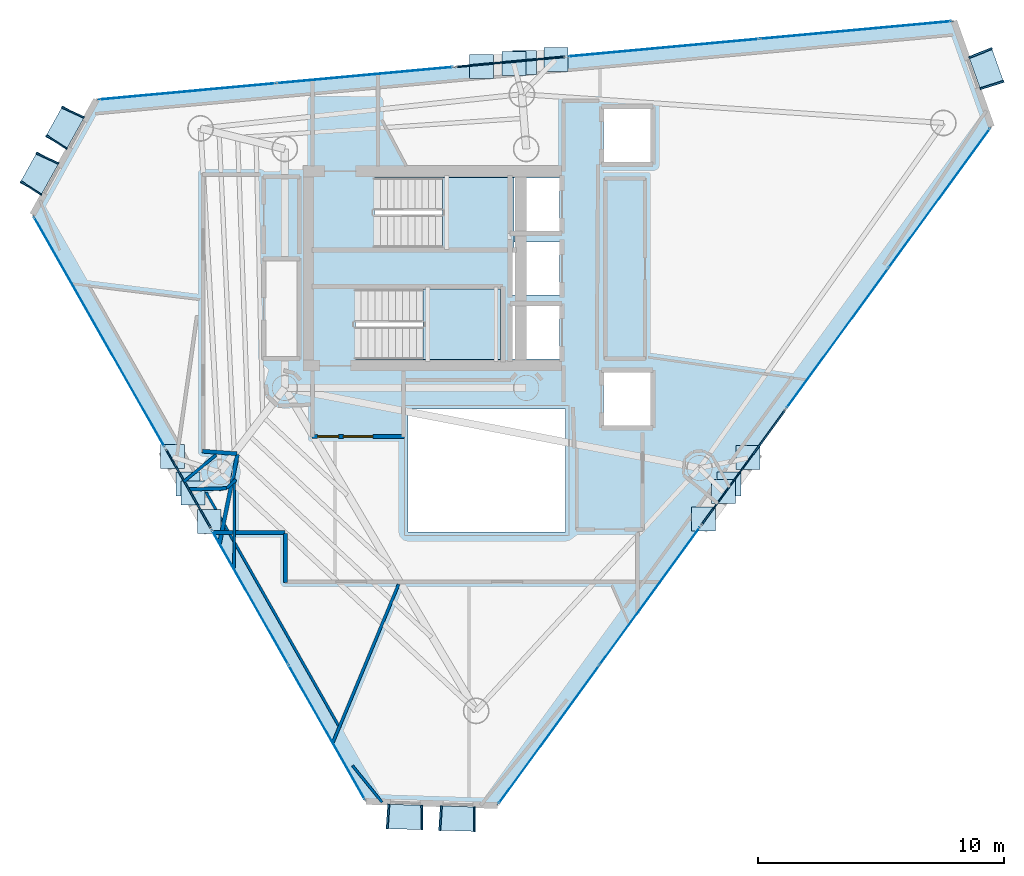
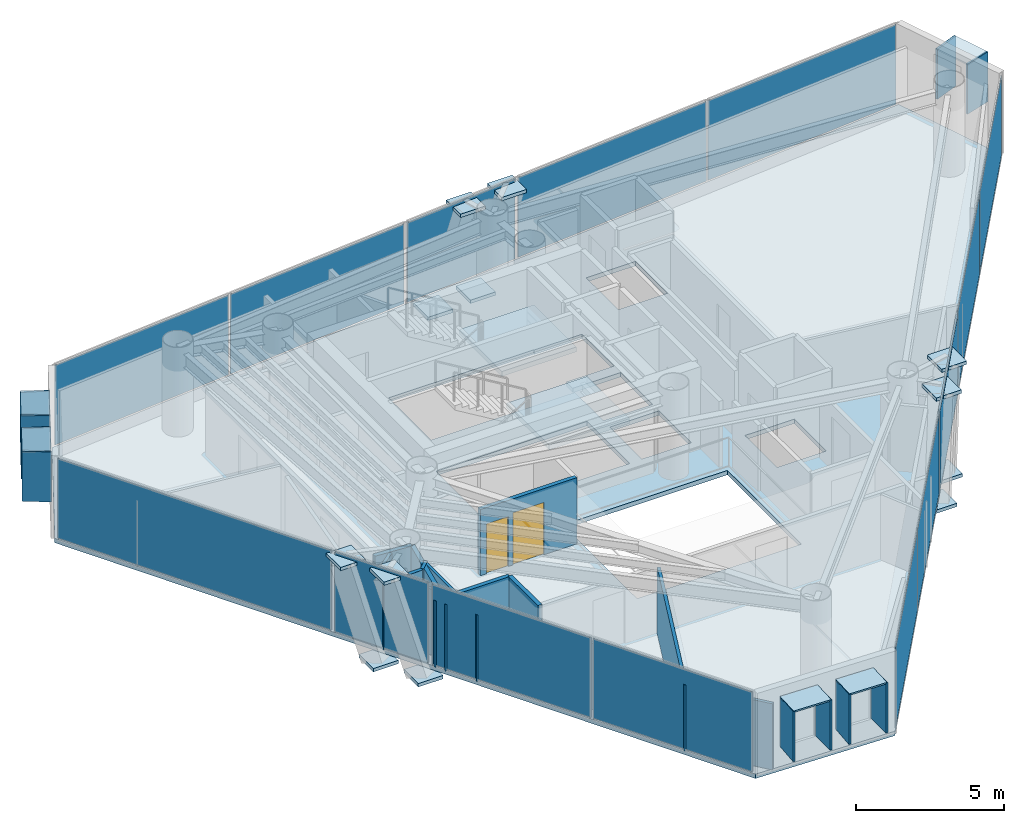
# One storey, part 16 of 21: 41 plates, 12 walls, 3 slabs, 2 doors, 2 openings, 11 elements without a shape of their own.
"""IFC4 building model written with IfcOpenShell, lengths in metres."""

from ifc_helpers import new_model, si_unit, direction, frame, frame_2d, origin, origin_2d, place, context, subcontext, project, spatial, polyline, rectangle, outline, extrude, material, layer, layer_set, type_object, element, fill, aggregate, save


model = new_model("IFC4")

# Units and contexts
model_context = context("Model", 3, precision=1e-05, world=origin(), true_north=direction((0.0, 1.0)))
body_context = subcontext(model_context, "Body", "Model", "MODEL_VIEW")
ifc_project = project(units=[si_unit("LENGTHUNIT", "METRE"), si_unit("AREAUNIT", "SQUARE_METRE"), si_unit("VOLUMEUNIT", "CUBIC_METRE"), si_unit("PLANEANGLEUNIT", "RADIAN"), si_unit("MASSUNIT", "GRAM", prefix="KILO")], contexts=[model_context])

# Site, building, storey
site_placement = place(None, origin())
site = spatial("IfcSite", under=ifc_project, at=site_placement, CompositionType="ELEMENT")
building_placement = place(site_placement, origin())
building = spatial("IfcBuilding", under=site, at=building_placement, Name="Qianvela Tower", CompositionType="ELEMENT")
storey_placement = place(building_placement, frame((0.0, 0.0, 272.300048828125)))
storey = spatial("IfcBuildingStorey", under=building, at=storey_placement, Name="L70", CompositionType="ELEMENT", Elevation=272.300048828125)

# Curtain wall, plate
ifc_material_1 = material(Name="Anodised Architectural Aluminium and Insulated Spandrel Panel", Category="aluminium")
ifc_layer_1 = layer(ifc_material_1, 0.179931640625)
ifc_layer_set_1 = layer_set([ifc_layer_1], Name="Anodised Architectural Aluminium and Insulated Spandrel Panel")
curtain_wall_type_1 = type_object("IfcCurtainWallType", Name="CW-BRACEBAY", PredefinedType="USERDEFINED", material=ifc_layer_set_1)
curtain_wall_1_placement = place(storey_placement, origin())
curtain_wall_1 = element("IfcCurtainWall", 1, at=curtain_wall_1_placement, inside=storey, type_object=curtain_wall_type_1, Name="L70 CW-BRACEBAY Curtain Wall 02B", ObjectType="CURTAIN_WALL_SYSTEM", PredefinedType="USERDEFINED")
ifc_material_2 = material(Name="Insulated Aluminium Spandrel Panel with Mineral-Wool Backpan", Category="aluminium")
ifc_layer_2 = layer(ifc_material_2, 0.06005859375)
ifc_layer_set_2 = layer_set([ifc_layer_2], Name="Insulated Aluminium Spandrel Panel with Mineral-Wool Backpan")
plate_type_1 = type_object("IfcPlateType", Name="CW-BRACEBAY-PNL", PredefinedType="CURTAIN_PANEL", material=ifc_layer_set_2)
plate_1_placement = place(storey_placement, frame((37.75732421875, 37.088623046875, 0.06494140625), z_axis=(0.0, 0.0, 1.0), x_axis=(-0.995810288508, -0.091443257276, 0.0)))
plate_1 = element("IfcPlate", 2, at=plate_1_placement, type_object=plate_type_1, Name="CW-9 panel 1.1", PredefinedType="CURTAIN_PANEL", context=body_context, shape_type="SweptSolid", body=[
    extrude(rectangle(XDim=4.43994140625, YDim=0.06005859375, at=origin_2d()), origin(), (0.0, 0.0, 1.0), 3.27001953125),
])
aggregate(curtain_wall_1, [plate_1])

curtain_wall_2_placement = place(storey_placement, origin())
curtain_wall_2 = element("IfcCurtainWall", 3, at=curtain_wall_2_placement, inside=storey, type_object=curtain_wall_type_1, Name="L70 CW-BRACEBAY Curtain Wall 04B", ObjectType="CURTAIN_WALL_SYSTEM", PredefinedType="USERDEFINED")
plate_2_placement = place(storey_placement, frame((24.684814453125, 19.7646484375, 0.06494140625), z_axis=(0.0, 0.0, 1.0), x_axis=(0.493952288995, -0.869489008669, 0.0)))
plate_2 = element("IfcPlate", 4, at=plate_2_placement, type_object=plate_type_1, Name="CW-9 panel 1.1", PredefinedType="CURTAIN_PANEL", context=body_context, shape_type="SweptSolid", body=[
    extrude(rectangle(XDim=3.66015625, YDim=0.06005859375, at=origin_2d()), origin(), (0.0, 0.0, 1.0), 3.27001953125),
])
aggregate(curtain_wall_2, [plate_2])

curtain_wall_3_placement = place(storey_placement, origin())
curtain_wall_3 = element("IfcCurtainWall", 5, at=curtain_wall_3_placement, inside=storey, type_object=curtain_wall_type_1, Name="L70 CW-BRACEBAY Curtain Wall 06B", ObjectType="CURTAIN_WALL_SYSTEM", PredefinedType="USERDEFINED")
plate_3_placement = place(storey_placement, frame((47.211669921875, 20.619140625, 0.06494140625), z_axis=(0.0, 0.0, 1.0), x_axis=(0.588439183109, 0.808541481794, 0.0)))
plate_3 = element("IfcPlate", 6, at=plate_3_placement, type_object=plate_type_1, Name="CW-9 panel 1.1", PredefinedType="CURTAIN_PANEL", context=body_context, shape_type="SweptSolid", body=[
    extrude(rectangle(XDim=5.760009765625, YDim=0.06005859375, at=origin_2d()), origin(), (0.0, 0.0, 1.0), 3.27001953125),
])
aggregate(curtain_wall_3, [plate_3])

# Curtain wall, plates
ifc_material_3 = material(Name="Anodised Architectural Aluminium and Low-E Glass", Category="aluminium")
ifc_layer_3 = layer(ifc_material_3, 0.159912109375)
ifc_layer_set_3 = layer_set([ifc_layer_3], Name="Anodised Architectural Aluminium and Low-E Glass")
curtain_wall_type_2 = type_object("IfcCurtainWallType", Name="CW-COLIV-Z56", PredefinedType="USERDEFINED", material=ifc_layer_set_3)
curtain_wall_4_placement = place(storey_placement, origin())
curtain_wall_4 = element("IfcCurtainWall", 7, at=curtain_wall_4_placement, inside=storey, type_object=curtain_wall_type_2, Name="L70 CW-COLIV-Z56 Curtain Wall 02A", ObjectType="CURTAIN_WALL_SYSTEM", PredefinedType="USERDEFINED")
ifc_material_4 = material(Name="Double-Silver Low-E Insulated Glass", Category="glass")
ifc_layer_4 = layer(ifc_material_4, 0.028076171875)
ifc_layer_set_4 = layer_set([ifc_layer_4], Name="Double-Silver Low-E Insulated Glass")
plate_type_2 = type_object("IfcPlateType", Name="CW-COLIV-Z56-PNL", PredefinedType="CURTAIN_PANEL", material=ifc_layer_set_4)
plate_4_placement = place(storey_placement, frame((51.772216796875, 38.375732421875, 0.06005859375), z_axis=(0.0, 0.0, 1.0), x_axis=(-0.995809778902, -0.091448806675, 0.0)))
plate_4 = element("IfcPlate", 8, at=plate_4_placement, type_object=plate_type_2, Name="CW-5 panel 1.1", PredefinedType="CURTAIN_PANEL", context=body_context, shape_type="SweptSolid", body=[
    extrude(rectangle(XDim=7.7724609375, YDim=0.028076171875, at=origin_2d()), origin(), (0.0, 0.0, 1.0), 3.280029296875),
])
plate_5_placement = place(storey_placement, frame((43.967529296875, 37.658935546875, 0.06005859375), z_axis=(0.0, 0.0, 1.0), x_axis=(-0.995809778902, -0.091448806675, 0.0)))
plate_5 = element("IfcPlate", 9, at=plate_5_placement, type_object=plate_type_2, Name="CW-5 panel 2.1", PredefinedType="CURTAIN_PANEL", context=body_context, shape_type="SweptSolid", body=[
    extrude(rectangle(XDim=7.7724609375, YDim=0.028076171875, at=origin_2d()), origin(), (0.0, 0.0, 1.0), 3.280029296875),
])
aggregate(curtain_wall_4, [plate_4, plate_5])

curtain_wall_5_placement = place(storey_placement, origin())
curtain_wall_5 = element("IfcCurtainWall", 10, at=curtain_wall_5_placement, inside=storey, type_object=curtain_wall_type_2, Name="L70 CW-COLIV-Z56 Curtain Wall 02C", ObjectType="CURTAIN_WALL_SYSTEM", PredefinedType="USERDEFINED")
plate_6_placement = place(storey_placement, frame((31.846923828125, 36.5458984375, 0.06005859375), z_axis=(0.0, 0.0, 1.0), x_axis=(-0.995809840726, -0.091448133455, 0.0)))
plate_6 = element("IfcPlate", 11, at=plate_6_placement, type_object=plate_type_2, Name="CW-5 panel 1.1", PredefinedType="CURTAIN_PANEL", context=body_context, shape_type="SweptSolid", body=[
    extrude(rectangle(XDim=7.170654296875, YDim=0.028076171875, at=origin_2d()), origin(), (0.0, 0.0, 1.0), 3.280029296875),
])
plate_7_placement = place(storey_placement, frame((24.6416015625, 35.88427734375, 0.06005859375), z_axis=(0.0, 0.0, 1.0), x_axis=(-0.995809840726, -0.091448133455, 0.0)))
plate_7 = element("IfcPlate", 12, at=plate_7_placement, type_object=plate_type_2, Name="CW-5 panel 2.1", PredefinedType="CURTAIN_PANEL", context=body_context, shape_type="SweptSolid", body=[
    extrude(rectangle(XDim=7.170654296875, YDim=0.028076171875, at=origin_2d()), origin(), (0.0, 0.0, 1.0), 3.280029296875),
])
aggregate(curtain_wall_5, [plate_6, plate_7])

# Curtain wall, plate
curtain_wall_6_placement = place(storey_placement, origin())
curtain_wall_6 = element("IfcCurtainWall", 13, at=curtain_wall_6_placement, inside=storey, type_object=curtain_wall_type_2, Name="L70 CW-COLIV-Z56 Curtain Wall 04A", ObjectType="CURTAIN_WALL_SYSTEM", PredefinedType="USERDEFINED")
plate_8_placement = place(storey_placement, frame((21.071533203125, 26.125, 0.06005859375), z_axis=(0.0, 0.0, 1.0), x_axis=(0.493940777784, -0.869495548029, 0.0)))
plate_8 = element("IfcPlate", 14, at=plate_8_placement, type_object=plate_type_2, Name="CW-5 panel 1.1", PredefinedType="CURTAIN_PANEL", context=body_context, shape_type="SweptSolid", body=[
    extrude(rectangle(XDim=10.7099609375, YDim=0.028076171875, at=origin_2d()), origin(), (0.0, 0.0, 1.0), 3.280029296875),
])
aggregate(curtain_wall_6, [plate_8])

# Curtain wall, plates
curtain_wall_7_placement = place(storey_placement, origin())
curtain_wall_7 = element("IfcCurtainWall", 15, at=curtain_wall_7_placement, inside=storey, type_object=curtain_wall_type_2, Name="L70 CW-COLIV-Z56 Curtain Wall 04C", ObjectType="CURTAIN_WALL_SYSTEM", PredefinedType="USERDEFINED")
plate_9_placement = place(storey_placement, frame((27.19189453125, 15.3515625, 0.06005859375), z_axis=(0.0, 0.0, 1.0), x_axis=(0.493944655954, -0.869493344917, 0.0)))
plate_9 = element("IfcPlate", 16, at=plate_9_placement, type_object=plate_type_2, Name="CW-5 panel 1.1", PredefinedType="CURTAIN_PANEL", context=body_context, shape_type="SweptSolid", body=[
    extrude(rectangle(XDim=6.23095703125, YDim=0.028076171875, at=origin_2d()), origin(), (0.0, 0.0, 1.0), 3.280029296875),
])
plate_10_placement = place(storey_placement, frame((30.3017578125, 9.87744140625, 0.06005859375), z_axis=(0.0, 0.0, 1.0), x_axis=(0.493944655954, -0.869493344917, 0.0)))
plate_10 = element("IfcPlate", 17, at=plate_10_placement, type_object=plate_type_2, Name="CW-5 panel 2.1", PredefinedType="CURTAIN_PANEL", context=body_context, shape_type="SweptSolid", body=[
    extrude(rectangle(XDim=6.23095703125, YDim=0.028076171875, at=origin_2d()), origin(), (0.0, 0.0, 1.0), 3.280029296875),
])
aggregate(curtain_wall_7, [plate_9, plate_10])

curtain_wall_8_placement = place(storey_placement, origin())
curtain_wall_8 = element("IfcCurtainWall", 18, at=curtain_wall_8_placement, inside=storey, type_object=curtain_wall_type_2, Name="L70 CW-COLIV-Z56 Curtain Wall 06A", ObjectType="CURTAIN_WALL_SYSTEM", PredefinedType="USERDEFINED")
plate_11_placement = place(storey_placement, frame((39.32275390625, 9.779541015625, 0.06005859375), z_axis=(0.0, 0.0, 1.0), x_axis=(0.588452998148, 0.808531427324, 0.0)))
plate_11 = element("IfcPlate", 19, at=plate_11_placement, type_object=plate_type_2, Name="CW-5 panel 1.1", PredefinedType="CURTAIN_PANEL", context=body_context, shape_type="SweptSolid", body=[
    extrude(rectangle(XDim=6.887451171875, YDim=0.028076171875, at=origin_2d()), origin(), (0.0, 0.0, 1.0), 3.280029296875),
])
plate_12_placement = place(storey_placement, frame((43.4140625, 15.40087890625, 0.06005859375), z_axis=(0.0, 0.0, 1.0), x_axis=(0.588452998148, 0.808531427324, 0.0)))
plate_12 = element("IfcPlate", 20, at=plate_12_placement, type_object=plate_type_2, Name="CW-5 panel 2.1", PredefinedType="CURTAIN_PANEL", context=body_context, shape_type="SweptSolid", body=[
    extrude(rectangle(XDim=6.887451171875, YDim=0.028076171875, at=origin_2d()), origin(), (0.0, 0.0, 1.0), 3.280029296875),
])
aggregate(curtain_wall_8, [plate_11, plate_12])

curtain_wall_9_placement = place(storey_placement, origin())
curtain_wall_9 = element("IfcCurtainWall", 21, at=curtain_wall_9_placement, inside=storey, type_object=curtain_wall_type_2, Name="L70 CW-COLIV-Z56 Curtain Wall 06C", ObjectType="CURTAIN_WALL_SYSTEM", PredefinedType="USERDEFINED")
plate_13_placement = place(storey_placement, frame((51.031005859375, 25.866943359375, 0.06005859375), z_axis=(0.0, 0.0, 1.0), x_axis=(0.588450071398, 0.808533557419, 0.0)))
plate_13 = element("IfcPlate", 22, at=plate_13_placement, type_object=plate_type_2, Name="CW-5 panel 1.1", PredefinedType="CURTAIN_PANEL", context=body_context, shape_type="SweptSolid", body=[
    extrude(rectangle(XDim=6.9609375, YDim=0.028076171875, at=origin_2d()), origin(), (0.0, 0.0, 1.0), 3.280029296875),
])
plate_14_placement = place(storey_placement, frame((55.16552734375, 31.547607421875, 0.06005859375), z_axis=(0.0, 0.0, 1.0), x_axis=(0.588450071398, 0.808533557419, 0.0)))
plate_14 = element("IfcPlate", 23, at=plate_14_placement, type_object=plate_type_2, Name="CW-5 panel 2.1", PredefinedType="CURTAIN_PANEL", context=body_context, shape_type="SweptSolid", body=[
    extrude(rectangle(XDim=6.9609375, YDim=0.028076171875, at=origin_2d()), origin(), (0.0, 0.0, 1.0), 3.280029296875),
])
aggregate(curtain_wall_9, [plate_13, plate_14])

# Plates
ifc_material_5 = material(Name="Steel Q420GJC", Category="steel")
ifc_layer_5 = layer(ifc_material_5, 0.139892578125)
ifc_layer_set_5 = layer_set([ifc_layer_5], Name="Steel Q420GJC")
plate_type_3 = type_object("IfcPlateType", Name="PT-GUSSET-NODE-140", PredefinedType="USERDEFINED", material=ifc_layer_set_5)
for number, where, z_axis, x_axis, name in (
    (24, (38.327880859375, 37.060791015625, -0.61328125), (0.0, 0.0, 1.0), (1.0, 0.0, 0.0), "L70 Node Gusset Plate A"),
    (25, (39.6064453125, 37.177978515625, 3.08935546875), (0.0, 0.0, 1.0), (1.0, 0.0, 0.0), "L70 Node Gusset Plate B"),
    (26, (36.58203125, 36.900390625, -0.61328125), (0.0, 0.0, 1.0), (1.0, 0.0, 0.0), "L70 Node Gusset Plate A"),
    (27, (37.91162109375, 37.0224609375, 3.0888671875), (0.0, 0.0, 1.0), (1.0, 0.0, 0.0), "L70 Node Gusset Plate B"),
    (28, (24.669921875, 19.953125, -0.61328125), (0.0, 0.0, 1.0), (1.0, 0.0, 0.0), "L70 Node Gusset Plate A"),
    (29, (24.036865234375, 21.067626953125, 3.08935546875), (0.0, 0.0, 1.0), (1.0, 0.0, 0.0), "L70 Node Gusset Plate B"),
    (30, (25.535888671875, 18.4287109375, -0.61328125), (0.0, 0.0, 1.0), (1.0, 0.0, 0.0), "L70 Node Gusset Plate A"),
    (31, (24.87744140625, 19.58740234375, 3.08935546875), (0.0, 0.0, 1.0), (1.0, 0.0, 0.0), "L70 Node Gusset Plate B"),
    (32, (45.59326171875, 18.53125, -0.61279296875), (0.0, 0.0, 1.0), (1.0, 0.0, 0.0), "L70 Node Gusset Plate A"),
    (33, (46.406005859375, 19.64794921875, 3.0888671875), (0.0, 0.0, 1.0), (1.0, 0.0, 0.0), "L70 Node Gusset Plate B"),
    (34, (46.625, 19.94873046875, -0.61328125), (0.0, 0.0, 1.0), (1.0, 0.0, 0.0), "L70 Node Gusset Plate A"),
    (35, (47.40771484375, 21.0244140625, 3.08935546875), (0.0, 0.0, 1.0), (1.0, 0.0, 0.0), "L70 Node Gusset Plate B"),
):
    element("IfcPlate", number, at=place(storey_placement, frame(where, z_axis=z_axis, x_axis=x_axis)), inside=storey, type_object=plate_type_3, Name=name, ObjectType="GUSSET_PLATE", PredefinedType="USERDEFINED", context=body_context, shape_type="SweptSolid", body=[
        extrude(rectangle(XDim=0.969970703125, YDim=0.969970703125, at=origin_2d()), origin(), (0.0, 0.0, 1.0), 0.139892578125),
    ])

# Slab
ifc_material_6 = material(Name="Concrete C40", Category="concrete")
ifc_layer_6 = layer(ifc_material_6, 0.179931640625)
ifc_layer_set_6 = layer_set([ifc_layer_6], Name="Concrete C40")
slab_type_1 = type_object("IfcSlabType", Name="SL-FLOOR-180", PredefinedType="FLOOR", material=ifc_layer_set_6)
slab_1_placement = place(storey_placement, frame((0.0, 0.0, -0.179931640625)))
element("IfcSlab", 36, at=slab_1_placement, inside=storey, type_object=slab_type_1, Name="L70 Composite Structural Floor Slab", PredefinedType="FLOOR", context=body_context, shape_type="SweptSolid", body=[
    extrude(outline(polyline([(57.28125, 34.45458984375), (55.756591796875, 38.74169921875), (20.956787109375, 35.5458984375), (18.369873046875, 30.881103515625), (31.897216796875, 7.068603515625), (37.228759765625, 6.90234375), (57.28125, 34.45458984375)]), holes=[polyline([(40.0, 23.0), (33.60009765625, 23.0), (33.60009765625, 18.0), (40.0, 18.0), (40.0, 23.0)]), polyline([(43.4599609375, 24.47998046875), (41.5400390625, 24.47998046875), (41.5400390625, 22.320068359375), (43.4599609375, 22.320068359375), (43.4599609375, 24.47998046875)]), polyline([(39.760009765625, 27.179931640625), (37.840087890625, 27.179931640625), (37.840087890625, 25.02001953125), (39.760009765625, 25.02001953125), (39.760009765625, 27.179931640625)]), polyline([(37.35009765625, 27.860107421875), (31.469970703125, 27.860107421875), (31.469970703125, 25.0), (37.35009765625, 25.0), (37.35009765625, 27.860107421875)]), polyline([(39.760009765625, 27.6201171875), (39.760009765625, 29.780029296875), (37.89990234375, 29.780029296875), (37.89990234375, 30.219970703125), (39.760009765625, 30.219970703125), (39.760009765625, 32.3798828125), (37.89990234375, 32.3798828125), (37.89990234375, 32.39990234375), (32.25, 32.39990234375), (32.25, 29.5400390625), (37.840087890625, 29.5400390625), (37.840087890625, 27.6201171875), (39.760009765625, 27.6201171875)]), polyline([(43.4599609375, 35.179931640625), (41.5400390625, 35.179931640625), (41.5400390625, 33.02001953125), (43.4599609375, 33.02001953125), (43.4599609375, 35.179931640625)])]), origin(), (0.0, 0.0, 1.0), 0.179931640625),
])

# Stair, slab
ifc_material_7 = material(Name="Concrete C40", Category="concrete")
stair_type = type_object("IfcStairType", Name="ST-DOGLEG-1350-R168-N22", PredefinedType="HALF_TURN_STAIR", material=ifc_material_7)
stair_1_placement = place(storey_placement, origin())
stair_1 = element("IfcStair", 37, at=stair_1_placement, inside=storey, type_object=stair_type, Name="L70 Smoke-Proof Core Stair ST-1", PredefinedType="HALF_TURN_STAIR")
ifc_material_8 = material(Name="Concrete C40", Category="concrete")
ifc_layer_7 = layer(ifc_material_8, 0.199951171875)
ifc_layer_set_7 = layer_set([ifc_layer_7], Name="Concrete C40")
slab_type_2 = type_object("IfcSlabType", Name="SL-STAIR-LANDING-200", PredefinedType="LANDING", material=ifc_layer_set_7)
slab_2_placement = place(storey_placement, frame((0.0, 0.0, 1.64990234375)))
slab_2 = element("IfcSlab", 38, at=slab_2_placement, type_object=slab_type_2, Name="ST-1 landing 1", PredefinedType="LANDING", context=body_context, shape_type="SweptSolid", body=[
    extrude(outline(polyline([(35.0, 29.5400390625), (37.89990234375, 29.5400390625), (37.89990234375, 32.39990234375), (35.0, 32.39990234375), (35.0, 29.5400390625)])), origin(), (0.0, 0.0, 1.0), 0.199951171875),
])
aggregate(stair_1, [slab_2])

stair_2_placement = place(storey_placement, origin())
stair_2 = element("IfcStair", 39, at=stair_2_placement, inside=storey, type_object=stair_type, Name="L70 Smoke-Proof Core Stair ST-2", PredefinedType="HALF_TURN_STAIR")
slab_3_placement = place(storey_placement, frame((0.0, 0.0, 1.64990234375)))
slab_3 = element("IfcSlab", 40, at=slab_3_placement, type_object=slab_type_2, Name="ST-2 landing 1", PredefinedType="LANDING", context=body_context, shape_type="SweptSolid", body=[
    extrude(outline(polyline([(34.219970703125, 25.0), (37.35009765625, 25.0), (37.35009765625, 27.860107421875), (34.219970703125, 27.860107421875), (34.219970703125, 25.0)])), origin(), (0.0, 0.0, 1.0), 0.199951171875),
])
aggregate(stair_2, [slab_3])

# Plates
ifc_material_9 = material(Name="Vitrified Architectural Terracotta Panel", Category="masonry")
ifc_layer_8 = layer(ifc_material_9, 0.06005859375)
ifc_layer_set_8 = layer_set([ifc_layer_8], Name="Vitrified Architectural Terracotta Panel")
plate_type_4 = type_object("IfcPlateType", Name="TERRACOTTA-SUNSHADE-HOOD-FOLD-A", PredefinedType="USERDEFINED", material=ifc_layer_set_8)
for number, where, z_axis, x_axis, name in (
    (41, (19.669189453125, 34.43017578125, 2.909912109375), (0.0, 0.0, 1.0), (-0.485020263094, -0.874502912739, 0.0), "L70 Terracotta Sunshade Hood FOLD-A"),
    (42, (18.63427734375, 32.564208984375, 2.909912109375), (0.0, 0.0, 1.0), (-0.485020263094, -0.874502912739, 0.0), "L70 Terracotta Sunshade Hood FOLD-A"),
):
    element("IfcPlate", number, at=place(storey_placement, frame(where, z_axis=z_axis, x_axis=x_axis)), inside=storey, type_object=plate_type_4, Name=name, ObjectType="SUNSHADE", PredefinedType="USERDEFINED", context=body_context, shape_type="SweptSolid", body=[
        extrude(rectangle(XDim=1.43994140625, YDim=0.989990234375, at=origin_2d()), origin(), (0.0, 0.0, 1.0), 0.06005859375),
    ])
ifc_material_10 = material(Name="Vitrified Architectural Terracotta Panel", Category="masonry")
ifc_layer_9 = layer(ifc_material_10, 0.070068359375)
ifc_layer_set_9 = layer_set([ifc_layer_9], Name="Vitrified Architectural Terracotta Panel")
plate_type_5 = type_object("IfcPlateType", Name="TERRACOTTA-SUNSHADE-HOOD-FOLD-C", PredefinedType="USERDEFINED", material=ifc_layer_set_9)
for number, where, z_axis, x_axis, name in (
    (43, (57.070068359375, 36.794189453125, 2.909912109375), (0.0, 0.0, 1.0), (-0.335075021069, 0.942191450957, 0.0), "L70 Terracotta Sunshade Hood FOLD-C"),
    (44, (33.478515625, 6.43408203125, 2.909912109375), (0.0, 0.0, 1.0), (0.999513879194, -0.031176999504, 0.0), "L70 Terracotta Sunshade Hood FOLD-C"),
    (45, (35.611083984375, 6.367431640625, 2.909912109375), (0.0, 0.0, 1.0), (0.999513879194, -0.031176999504, 0.0), "L70 Terracotta Sunshade Hood FOLD-C"),
):
    element("IfcPlate", number, at=place(storey_placement, frame(where, z_axis=z_axis, x_axis=x_axis)), inside=storey, type_object=plate_type_5, Name=name, ObjectType="SUNSHADE", PredefinedType="USERDEFINED", context=body_context, shape_type="SweptSolid", body=[
        extrude(rectangle(XDim=1.43994140625, YDim=0.989990234375, at=origin_2d()), origin(), (0.0, 0.0, 1.0), 0.06005859375),
    ])
ifc_material_11 = material(Name="Vitrified Architectural Terracotta Side Fin Panel", Category="masonry")
ifc_layer_10 = layer(ifc_material_11, 0.06494140625)
ifc_layer_set_10 = layer_set([ifc_layer_10], Name="Vitrified Architectural Terracotta Side Fin Panel")
plate_type_6 = type_object("IfcPlateType", Name="TERRACOTTA-SUNSHADE-STRUT-FOLD-A", PredefinedType="USERDEFINED", material=ifc_layer_set_10)
for number, where, z_axis, x_axis, name in (
    (46, (20.00390625, 35.03369140625, 0.89990234375), (0.0, 0.0, 1.0), (-0.422836538638, -0.906205970844, 0.0), "L70 Terracotta Sunshade Side Fin HL FOLD-A"),
    (47, (19.33447265625, 33.82666015625, 0.89990234375), (0.0, 0.0, 1.0), (-0.544841017581, -0.838539364348, 0.0), "L70 Terracotta Sunshade Side Fin HR FOLD-A"),
    (48, (18.968994140625, 33.167724609375, 0.89990234375), (0.0, 0.0, 1.0), (-0.422836538638, -0.906205970844, 0.0), "L70 Terracotta Sunshade Side Fin HL FOLD-A"),
    (49, (18.2998046875, 31.9609375, 0.89990234375), (0.0, 0.0, 1.0), (-0.544841017581, -0.838539364348, 0.0), "L70 Terracotta Sunshade Side Fin HR FOLD-A"),
):
    element("IfcPlate", number, at=place(storey_placement, frame(where, z_axis=z_axis, x_axis=x_axis)), inside=storey, type_object=plate_type_6, Name=name, ObjectType="SUNSHADE", PredefinedType="USERDEFINED", context=body_context, shape_type="SweptSolid", body=[
        extrude(rectangle(XDim=0.06494140625, YDim=1.010009765625, at=origin_2d()), origin(), (0.0, 0.0, 1.0), 2.06005859375),
    ])
ifc_material_12 = material(Name="Vitrified Architectural Terracotta Side Fin Panel", Category="masonry")
ifc_layer_11 = layer(ifc_material_12, 0.074951171875)
ifc_layer_set_11 = layer_set([ifc_layer_11], Name="Vitrified Architectural Terracotta Side Fin Panel")
plate_type_7 = type_object("IfcPlateType", Name="TERRACOTTA-SUNSHADE-STRUT-FOLD-C", PredefinedType="USERDEFINED", material=ifc_layer_set_11)
for number, where, z_axis, x_axis, name in (
    (50, (57.30126953125, 36.14404296875, 0.89990234375), (0.0, 0.0, 1.0), (-0.301988894983, 0.953311442975, 0.0), "L70 Terracotta Sunshade Side Fin HL FOLD-C"),
    (51, (56.8388671875, 37.444091796875, 0.89990234375), (0.0, 0.0, 1.0), (-0.367752909855, 0.929923543789, 0.0), "L70 Terracotta Sunshade Side Fin HR FOLD-C"),
    (52, (32.788818359375, 6.45556640625, 0.89990234375), (0.0, 0.0, 1.0), (0.997816940754, -0.06604053865, 0.0), "L70 Terracotta Sunshade Side Fin HL FOLD-C"),
    (53, (34.168212890625, 6.41259765625, 0.89990234375), (0.0, 0.0, 1.0), (0.999993063936, 0.003724524013, 0.0), "L70 Terracotta Sunshade Side Fin HR FOLD-C"),
    (54, (34.92138671875, 6.388916015625, 0.89990234375), (0.0, 0.0, 1.0), (0.997816940754, -0.06604053865, 0.0), "L70 Terracotta Sunshade Side Fin HL FOLD-C"),
    (55, (36.30078125, 6.345947265625, 0.89990234375), (0.0, 0.0, 1.0), (0.999993063936, 0.003724524013, 0.0), "L70 Terracotta Sunshade Side Fin HR FOLD-C"),
):
    element("IfcPlate", number, at=place(storey_placement, frame(where, z_axis=z_axis, x_axis=x_axis)), inside=storey, type_object=plate_type_7, Name=name, ObjectType="SUNSHADE", PredefinedType="USERDEFINED", context=body_context, shape_type="SweptSolid", body=[
        extrude(rectangle(XDim=0.074951171875, YDim=1.010009765625, at=origin_2d()), origin(), (0.0, 0.0, 1.0), 2.06005859375),
    ])

# Wall, openings, doors
ifc_material_13 = material(Name="Fire-Rated Gypsum and Concrete Block", Category="concrete")
ifc_layer_12 = layer(ifc_material_13, 0.159912109375)
ifc_layer_set_12 = layer_set([ifc_layer_12], Name="Fire-Rated Gypsum and Concrete Block")
wall_type_1 = type_object("IfcWallType", Name="WT-CORR-160", PredefinedType="PARTITIONING", material=ifc_layer_set_12)
wall_1_placement = place(storey_placement, frame((33.449951171875, 21.881103515625, 0.0), z_axis=(0.0, 0.0, 1.0), x_axis=(-1.0, 0.0, 0.0)))
wall_1 = element("IfcWall", 56, at=wall_1_placement, inside=storey, type_object=wall_type_1, Name="L70 Partition 5", PredefinedType="PARTITIONING", context=body_context, shape_type="SweptSolid", body=[
    extrude(rectangle(XDim=3.75, YDim=0.159912109375, at=frame_2d((1.875, 0.0))), origin(), (0.0, 0.0, 1.0), 2.719970703125),
])
opening_1_placement = place(wall_1_placement, frame((1.27490234375, 0.0, 0.0)))
opening_1 = element("IfcOpeningElement", 57, at=opening_1_placement, cuts=wall_1, Name="Opening D-LB1", PredefinedType="OPENING", context=body_context, shape_type="SweptSolid", body=[
    extrude(rectangle(XDim=1.199951171875, YDim=2.14990234375, at=frame_2d((0.60009765625, 1.074951171875))), frame((0.0, 0.08984375, 0.0), z_axis=(0.0, -1.0, 0.0), x_axis=(1.0, 0.0, 0.0)), (0.0, 0.0, 1.0), 0.179931640625),
])
opening_2_placement = place(wall_1_placement, frame((2.659912109375, 0.0, 0.0)))
opening_2 = element("IfcOpeningElement", 58, at=opening_2_placement, cuts=wall_1, Name="Opening D-LB2", PredefinedType="OPENING", context=body_context, shape_type="SweptSolid", body=[
    extrude(rectangle(XDim=0.860107421875, YDim=2.050048828125, at=frame_2d((0.43017578125, 1.02490234375))), frame((0.0, 0.08984375, 0.0), z_axis=(0.0, -1.0, 0.0), x_axis=(1.0, 0.0, 0.0)), (0.0, 0.0, 1.0), 0.179931640625),
])
ifc_material_14 = material(Name="Glazed Fire-Rated Steel Frame", Category="steel")
door_type_1 = type_object("IfcDoorType", Name="DT-LOBBY-FD90", OperationType="NOTDEFINED", PredefinedType="DOOR", material=ifc_material_14)
door_1_placement = place(opening_1_placement, origin())
door_1 = element("IfcDoor", 59, at=door_1_placement, inside=storey, type_object=door_type_1, Name="L70 Door L70 Firefighting Lobby South to L70 Floor Corridor", OperationType="SINGLE_SWING_RIGHT", OverallHeight=2.14990234375, OverallWidth=1.199951171875, PredefinedType="DOOR", context=body_context, shape_type="SweptSolid", body=[
    extrude(rectangle(XDim=1.199951171875, YDim=2.14990234375, at=frame_2d((0.60009765625, 1.074951171875))), frame((0.0, 0.02490234375, 0.0), z_axis=(0.0, -1.0, 0.0), x_axis=(1.0, 0.0, 0.0)), (0.0, 0.0, 1.0), 0.050048828125),
])
fill(opening_1, door_1)
ifc_material_15 = material(Name="Insulated Steel Fire Door Q355B", Category="steel")
door_type_2 = type_object("IfcDoorType", Name="DT-LOBBY-FD90-860", OperationType="NOTDEFINED", PredefinedType="DOOR", material=ifc_material_15)
door_2_placement = place(opening_2_placement, origin())
door_2 = element("IfcDoor", 60, at=door_2_placement, inside=storey, type_object=door_type_2, Name="L70 Door L70 Firefighting Lobby South to L70 Floor Corridor", OperationType="SINGLE_SWING_RIGHT", OverallHeight=2.050048828125, OverallWidth=0.860107421875, PredefinedType="DOOR", context=body_context, shape_type="SweptSolid", body=[
    extrude(rectangle(XDim=0.860107421875, YDim=2.050048828125, at=frame_2d((0.43017578125, 1.02490234375))), frame((0.0, 0.02490234375, 0.0), z_axis=(0.0, -1.0, 0.0), x_axis=(1.0, 0.0, 0.0)), (0.0, 0.0, 1.0), 0.050048828125),
])
fill(opening_2, door_2)

# Walls
wall_2_placement = place(storey_placement, frame((28.631103515625, 15.949951171875, 0.0), z_axis=(0.0, 0.0, 1.0), x_axis=(0.0, 1.0, 0.0)))
element("IfcWall", 61, at=wall_2_placement, inside=storey, type_object=wall_type_1, Name="L70 Partition 58", PredefinedType="PARTITIONING", context=body_context, shape_type="SweptSolid", body=[
    extrude(rectangle(XDim=2.0, YDim=0.159912109375, at=frame_2d((1.0, 0.0))), origin(), (0.0, 0.0, 1.0), 2.719970703125),
])
wall_3_placement = place(storey_placement, frame((28.60009765625, 17.98095703125, 0.0), z_axis=(0.0, 0.0, 1.0), x_axis=(-1.0, 0.0, 0.0)))
element("IfcWall", 62, at=wall_3_placement, inside=storey, type_object=wall_type_1, Name="L70 Partition 59", PredefinedType="PARTITIONING", context=body_context, shape_type="SweptSolid", body=[
    extrude(rectangle(XDim=2.921875, YDim=0.159912109375, at=frame_2d((1.4609375, 0.0))), origin(), (0.0, 0.0, 1.0), 2.719970703125),
])
wall_4_placement = place(storey_placement, frame((25.951416015625, 17.535400390625, 0.0), z_axis=(0.0, 0.0, 1.0), x_axis=(0.197834740862, 0.980235387704, 0.0)))
element("IfcWall", 63, at=wall_4_placement, inside=storey, type_object=wall_type_1, Name="L70 Partition 60", PredefinedType="PARTITIONING", context=body_context, shape_type="SweptSolid", body=[
    extrude(rectangle(XDim=3.6875, YDim=0.159912109375, at=frame_2d((1.84375, 0.0))), origin(), (0.0, 0.0, 1.0), 2.719970703125),
])
wall_5_placement = place(storey_placement, frame((26.65234375, 21.180908203125, 0.0), z_axis=(0.0, 0.0, 1.0), x_axis=(-0.997303696291, 0.073384857861, 0.0)))
element("IfcWall", 64, at=wall_5_placement, inside=storey, type_object=wall_type_1, Name="L70 Partition 61", PredefinedType="PARTITIONING", context=body_context, shape_type="SweptSolid", body=[
    extrude(rectangle(XDim=1.404052734375, YDim=0.159912109375, at=frame_2d((0.7021484375, 0.0))), origin(), (0.0, 0.0, 1.0), 2.719970703125),
])
ifc_material_16 = material(Name="Lightweight Gypsum Room Partition")
ifc_layer_13 = layer(ifc_material_16, 0.10498046875)
ifc_layer_set_13 = layer_set([ifc_layer_13], Name="Lightweight Gypsum Room Partition")
wall_type_2 = type_object("IfcWallType", Name="WT-PART-105", PredefinedType="PARTITIONING", material=ifc_layer_set_13)
wall_6_placement = place(storey_placement, frame((30.846923828125, 10.033203125, 0.0), z_axis=(0.0, 0.0, 1.0), x_axis=(-0.493936675542, 0.869497878407, 0.0)))
element("IfcWall", 65, at=wall_6_placement, inside=storey, type_object=wall_type_2, Name="L70 Partition 75 seg 1", PredefinedType="PARTITIONING", context=body_context, shape_type="SweptSolid", body=[
    extrude(rectangle(XDim=11.015380859375, YDim=0.10498046875, at=frame_2d((5.5078125, 0.0))), origin(), (0.0, 0.0, 1.0), 2.719970703125),
])
wall_7_placement = place(storey_placement, frame((26.55810546875, 20.145751953125, 0.0), z_axis=(0.0, 0.0, 1.0), x_axis=(-0.005868521817, -0.999982780078, 0.0)))
element("IfcWall", 66, at=wall_7_placement, inside=storey, type_object=wall_type_2, Name="L70 Partition 78", PredefinedType="PARTITIONING", context=body_context, shape_type="SweptSolid", body=[
    extrude(rectangle(XDim=3.660888671875, YDim=0.10498046875, at=frame_2d((1.83056640625, 0.0))), origin(), (0.0, 0.0, 1.0), 2.719970703125),
])
wall_8_placement = place(storey_placement, frame((32.55224609375, 7.031005859375, 0.0), z_axis=(0.0, 0.0, 1.0), x_axis=(-0.628607259806, 0.777722902401, 0.0)))
element("IfcWall", 67, at=wall_8_placement, inside=storey, type_object=wall_type_2, Name="L70 Partition 84 seg 1", PredefinedType="PARTITIONING", context=body_context, shape_type="SweptSolid", body=[
    extrude(rectangle(XDim=1.9140625, YDim=0.10498046875, at=frame_2d((0.95703125, 0.0))), origin(), (0.0, 0.0, 1.0), 2.719970703125),
])
ifc_material_17 = material(Name="Insulated Gypsum Stud Partition")
ifc_layer_14 = layer(ifc_material_17, 0.1201171875)
ifc_layer_set_14 = layer_set([ifc_layer_14], Name="Insulated Gypsum Stud Partition")
wall_type_3 = type_object("IfcWallType", Name="WT-PART-120", PredefinedType="PARTITIONING", material=ifc_layer_set_14)
wall_9_placement = place(storey_placement, frame((25.814453125, 21.131591796875, 0.0), z_axis=(0.0, 0.0, 1.0), x_axis=(-0.771280007223, -0.636495994063, 0.0)))
element("IfcWall", 68, at=wall_9_placement, inside=storey, type_object=wall_type_3, Name="L70 Partition 65", PredefinedType="PARTITIONING", context=body_context, shape_type="SweptSolid", body=[
    extrude(rectangle(XDim=1.70263671875, YDim=0.1201171875, at=frame_2d((0.851318359375, 0.0))), origin(), (0.0, 0.0, 1.0), 2.719970703125),
])
wall_10_placement = place(storey_placement, frame((33.220703125, 15.8818359375, 0.0), z_axis=(0.0, 0.0, 1.0), x_axis=(-0.383419827027, -0.92357416391, 0.0)))
element("IfcWall", 69, at=wall_10_placement, inside=storey, type_object=wall_type_3, Name="L70 Partition 74", PredefinedType="PARTITIONING", context=body_context, shape_type="SweptSolid", body=[
    extrude(rectangle(XDim=6.99072265625, YDim=0.1201171875, at=frame_2d((3.495361328125, 0.0))), origin(), (0.0, 0.0, 1.0), 2.719970703125),
])
wall_11_placement = place(storey_placement, frame((26.255615234375, 19.78173828125, 0.0), z_axis=(0.0, 0.0, 1.0), x_axis=(0.72060446241, 0.693346384396, 0.0)))
element("IfcWall", 70, at=wall_11_placement, inside=storey, type_object=wall_type_3, Name="L70 Partition 77", PredefinedType="PARTITIONING", context=body_context, shape_type="SweptSolid", body=[
    extrude(rectangle(XDim=0.49267578125, YDim=0.1201171875, at=frame_2d((0.246337890625, 0.0))), origin(), (0.0, 0.0, 1.0), 2.719970703125),
])
ifc_material_18 = material(Name="Acoustic Double Gypsum Stud Partition")
ifc_layer_15 = layer(ifc_material_18, 0.139892578125)
ifc_layer_set_15 = layer_set([ifc_layer_15], Name="Acoustic Double Gypsum Stud Partition")
wall_type_4 = type_object("IfcWallType", Name="WT-ROOM-140", PredefinedType="PARTITIONING", material=ifc_layer_set_15)
wall_12_placement = place(storey_placement, frame((24.68310546875, 19.73193359375, 0.0), z_axis=(0.0, 0.0, 1.0), x_axis=(0.999646809625, 0.026575477556, 0.0)))
element("IfcWall", 71, at=wall_12_placement, inside=storey, type_object=wall_type_4, Name="L70 Partition 76", PredefinedType="PARTITIONING", context=body_context, shape_type="SweptSolid", body=[
    extrude(rectangle(XDim=1.552490234375, YDim=0.139892578125, at=frame_2d((0.7763671875, 0.0))), origin(), (0.0, 0.0, 1.0), 2.719970703125),
])

save(model, "model.ifc")
